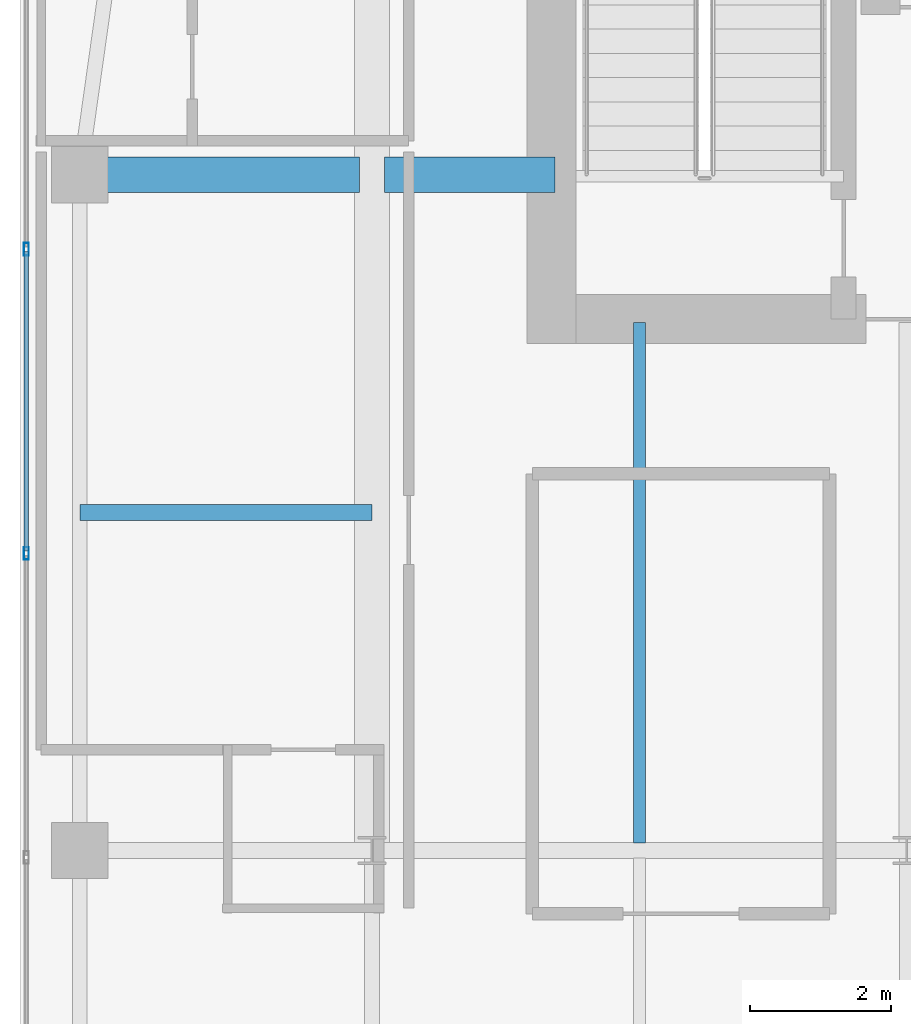
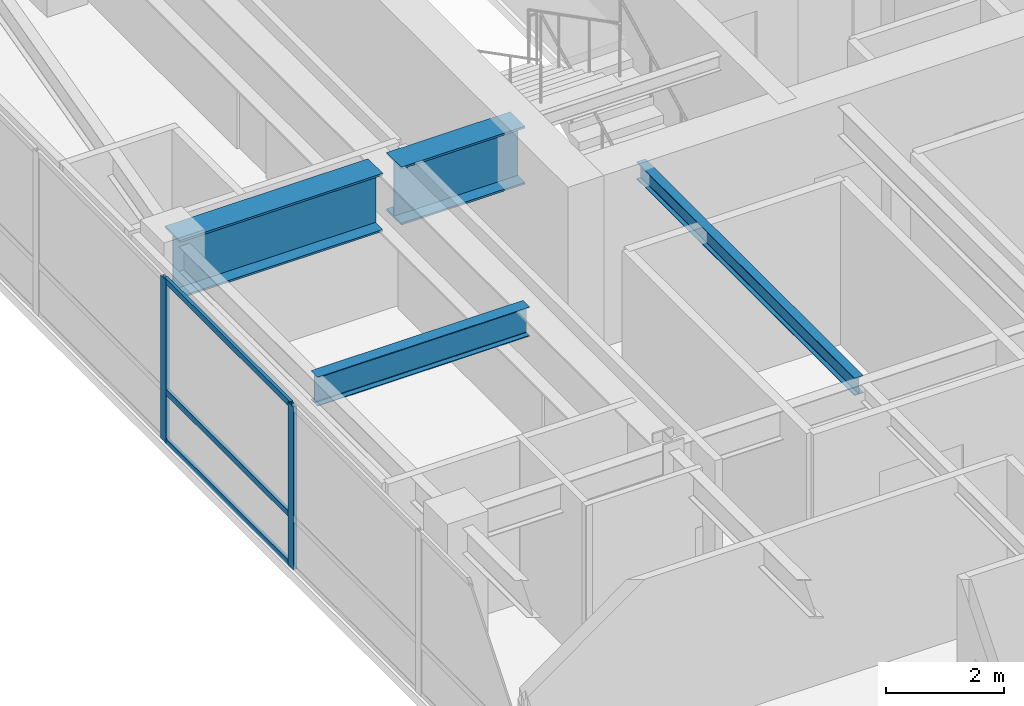
# One storey, part 11 of 28: 5 members, 4 beams, 1 element without a shape of its own.
"""IFC4 building model written with IfcOpenShell, lengths in metres."""

from ifc_helpers import new_model, si_unit, direction, frame, origin, origin_2d, place, context, subcontext, project, spatial, hollow_rectangle, i_section, extrude, source, transform, mapped, material, layer, layer_set, material_profile, profile_set, type_object, type_shapes, element, aggregate, save


model = new_model("IFC4")

# Units and contexts
model_context = context("Model", 3, precision=1e-05, world=origin(), true_north=direction((0.0, 1.0)))
body_context = subcontext(model_context, "Body", "Model", "MODEL_VIEW")
ifc_project = project(units=[si_unit("LENGTHUNIT", "METRE"), si_unit("AREAUNIT", "SQUARE_METRE"), si_unit("VOLUMEUNIT", "CUBIC_METRE"), si_unit("PLANEANGLEUNIT", "RADIAN"), si_unit("MASSUNIT", "GRAM", prefix="KILO")], contexts=[model_context])

# Site, building, storey
site_placement = place(None, origin())
site = spatial("IfcSite", under=ifc_project, at=site_placement, CompositionType="ELEMENT")
building_placement = place(site_placement, origin())
building = spatial("IfcBuilding", under=site, at=building_placement, Name="Tolvann Quenvar Hotel", CompositionType="ELEMENT")
storey_placement = place(building_placement, frame((0.0, 0.0, 154.14990234375)))
storey = spatial("IfcBuildingStorey", under=building, at=storey_placement, Name="L40", CompositionType="ELEMENT", Elevation=154.14990234375)

# Beams
ifc_material_1 = material(Name="Steel Grade 350", Category="steel")
ifc_material_profile_1 = material_profile(ifc_material_1, i_section(OverallWidth=0.5, OverallDepth=1.199951171875, WebThickness=0.01611328125, FlangeThickness=0.0400390625, at=origin_2d()), Name="1200WB455")
ifc_profile_set_1 = profile_set([ifc_material_profile_1], Name="Steel Grade 350")
beam_type_1 = type_object("IfcBeamType", Name="BM_TG_1200WB455", PredefinedType="USERDEFINED", material=ifc_profile_set_1)
shared_shape_1 = source(origin(), body_context, "Body", "SweptSolid", [
    extrude(i_section(OverallWidth=0.5, OverallDepth=1.199951171875, WebThickness=0.01611328125, FlangeThickness=0.0400390625, at=origin_2d()), origin(), (0.0, 0.0, 1.0), 2.419921875),
])
beam_1_placement = place(storey_placement, frame((7.780029296875, 34.0, 2.77001953125), z_axis=(1.0, 0.0, 0.0), x_axis=(0.0, 1.0, 0.0)))
element("IfcBeam", 1, at=beam_1_placement, inside=storey, type_object=beam_type_1, Name="BM-L40-CTW-MID2", ObjectType="TRANSFER GIRDER", PredefinedType="USERDEFINED", context=body_context, shape_type="MappedRepresentation", body=[
    mapped(shared_shape_1, transform((0.0, 0.0, 0.0), x_axis=(1.0, 0.0, 0.0), y_axis=(0.0, 1.0, 0.0), z_axis=(0.0, 0.0, 1.0), scale=1.0)),
])
shared_shape_2 = source(origin(), body_context, "Body", "SweptSolid", [
    extrude(i_section(OverallWidth=0.5, OverallDepth=1.199951171875, WebThickness=0.01611328125, FlangeThickness=0.0400390625, at=origin_2d()), origin(), (0.0, 0.0, 1.0), 3.969970703125),
])
type_shapes(beam_type_1, [shared_shape_1, shared_shape_2])
beam_2_placement = place(storey_placement, frame((3.449951171875, 34.0, 2.77001953125), z_axis=(1.0, 0.0, 0.0), x_axis=(0.0, 1.0, 0.0)))
element("IfcBeam", 2, at=beam_2_placement, inside=storey, type_object=beam_type_1, Name="BM-L40-CTW-MID1", ObjectType="TRANSFER GIRDER", PredefinedType="USERDEFINED", context=body_context, shape_type="MappedRepresentation", body=[
    mapped(shared_shape_2, transform((0.0, 0.0, 0.0), x_axis=(1.0, 0.0, 0.0), y_axis=(0.0, 1.0, 0.0), z_axis=(0.0, 0.0, 1.0), scale=1.0)),
])
ifc_material_profile_2 = material_profile(ifc_material_1, i_section(OverallWidth=0.22802734375, OverallDepth=0.60205078125, WebThickness=0.010498046875, FlangeThickness=0.014892578125, FilletRadius=0.013916015625, at=origin_2d()), Name="610UB101")
ifc_profile_set_2 = profile_set([ifc_material_profile_2], Name="Steel Grade 350")
beam_type_2 = type_object("IfcBeamType", Name="BM_GIRD_610UB101", PredefinedType="BEAM", material=ifc_profile_set_2)
shared_shape_3 = source(origin(), body_context, "Body", "SweptSolid", [
    extrude(i_section(OverallWidth=0.22802734375, OverallDepth=0.60205078125, WebThickness=0.010498046875, FlangeThickness=0.014892578125, FilletRadius=0.013916015625, at=origin_2d()), origin(), (0.0, 0.0, 1.0), 4.150146484375),
])
type_shapes(beam_type_2, [shared_shape_3])
beam_3_placement = place(storey_placement, frame((3.449951171875, 29.199951171875, 3.069091796875), z_axis=(1.0, 0.0, 0.0), x_axis=(0.0, 1.0, 0.0)))
element("IfcBeam", 3, at=beam_3_placement, inside=storey, type_object=beam_type_2, Name="BM-L40-EW-BC29", PredefinedType="BEAM", context=body_context, shape_type="MappedRepresentation", body=[
    mapped(shared_shape_3, transform((0.0, 0.0, 0.0), x_axis=(1.0, 0.0, 0.0), y_axis=(0.0, 1.0, 0.0), z_axis=(0.0, 0.0, 1.0), scale=1.0)),
])
ifc_material_profile_3 = material_profile(ifc_material_1, i_section(OverallWidth=0.172119140625, OverallDepth=0.35888671875, WebThickness=0.008056640625, FlangeThickness=0.012939453125, FilletRadius=0.011474609375, at=origin_2d()), Name="360UB57")
ifc_profile_set_3 = profile_set([ifc_material_profile_3], Name="Steel Grade 350")
beam_type_3 = type_object("IfcBeamType", Name="BM_JOIST_360UB57", PredefinedType="JOIST", material=ifc_profile_set_3)
shared_shape_4 = source(origin(), body_context, "Body", "SweptSolid", [
    extrude(i_section(OverallWidth=0.172119140625, OverallDepth=0.35888671875, WebThickness=0.008056640625, FlangeThickness=0.012939453125, FilletRadius=0.011474609375, at=origin_2d()), origin(), (0.0, 0.0, 1.0), 7.391845703125),
])
type_shapes(beam_type_3, [shared_shape_4])
beam_4_placement = place(storey_placement, frame((11.39990234375, 24.508056640625, 3.190673828125), z_axis=(0.0, 1.0, 0.0), x_axis=(-1.0, 0.0, 0.0)))
element("IfcBeam", 4, at=beam_4_placement, inside=storey, type_object=beam_type_3, Name="BJ-L40-114-244", PredefinedType="JOIST", context=body_context, shape_type="MappedRepresentation", body=[
    mapped(shared_shape_4, transform((0.0, 0.0, 0.0), x_axis=(1.0, 0.0, 0.0), y_axis=(0.0, 1.0, 0.0), z_axis=(0.0, 0.0, 1.0), scale=1.0)),
])

# Curtain wall, members
ifc_material_2 = material(Name="Thermally broken anodised architectural aluminium 6063-T6 and laminated low-E glass", Category="aluminium")
ifc_layer = layer(ifc_material_2, 0.179931640625)
ifc_layer_set = layer_set([ifc_layer], Name="Thermally broken anodised architectural aluminium 6063-T6 and laminated low-E glass")
curtain_wall_type = type_object("IfcCurtainWallType", Name="CW_SYS_BAND_04", PredefinedType="USERDEFINED", material=ifc_layer_set)
curtain_wall_placement = place(storey_placement, origin())
curtain_wall = element("IfcCurtainWall", 5, at=curtain_wall_placement, inside=storey, type_object=curtain_wall_type, Name="Curtain Wall CW-BAND-04 (CWR-L40-E23)", ObjectType="UNITISED CURTAIN WALL", PredefinedType="USERDEFINED")
ifc_material_3 = material(Name="Anodised architectural aluminium 6063-T6 framing", Category="aluminium")
ifc_material_profile_4 = material_profile(ifc_material_3, hollow_rectangle(XDim=0.070068359375, YDim=0.179931640625, WallThickness=0.00390625, at=origin_2d()), Name="180x70x4RHS")
ifc_profile_set_4 = profile_set([ifc_material_profile_4], Name="Anodised architectural aluminium 6063-T6 framing")
member_type_1 = type_object("IfcMemberType", Name="CW_MULL_180x70", PredefinedType="MULLION", material=ifc_profile_set_4)
shared_shape_5 = source(origin(), body_context, "Body", "SweptSolid", [
    extrude(hollow_rectangle(XDim=0.070068359375, YDim=0.179931640625, WallThickness=0.00390625, at=origin_2d()), origin(), (0.0, 0.0, 1.0), 3.3701171875),
])
type_shapes(member_type_1, [shared_shape_5])
member_1_placement = place(storey_placement, frame((2.68994140625, 32.94140625, 0.0), z_axis=(0.0, 0.0, 1.0), x_axis=(1.0, 0.0, 0.0)))
member_1 = element("IfcMember", 6, at=member_1_placement, type_object=member_type_1, Name="CW-BAND-04 mullion 3", PredefinedType="MULLION", context=body_context, shape_type="MappedRepresentation", body=[
    mapped(shared_shape_5, transform((0.0, 0.0, 0.0), x_axis=(1.0, 0.0, 0.0), y_axis=(0.0, 1.0, 0.0), z_axis=(0.0, 0.0, 1.0), scale=1.0)),
])
member_2_placement = place(storey_placement, frame((2.68994140625, 28.62060546875, 0.0), z_axis=(0.0, 0.0, 1.0), x_axis=(1.0, 0.0, 0.0)))
member_2 = element("IfcMember", 7, at=member_2_placement, type_object=member_type_1, Name="CW-BAND-04 mullion 4", PredefinedType="MULLION", context=body_context, shape_type="MappedRepresentation", body=[
    mapped(shared_shape_5, transform((0.0, 0.0, 0.0), x_axis=(1.0, 0.0, 0.0), y_axis=(0.0, 1.0, 0.0), z_axis=(0.0, 0.0, 1.0), scale=1.0)),
])
ifc_material_profile_5 = material_profile(ifc_material_3, hollow_rectangle(XDim=0.06005859375, YDim=0.1201171875, WallThickness=0.00341796875, at=origin_2d()), Name="120x60x3.5RHS")
ifc_profile_set_5 = profile_set([ifc_material_profile_5], Name="Anodised architectural aluminium 6063-T6 framing")
member_type_2 = type_object("IfcMemberType", Name="CW_TRAN_120x60", PredefinedType="USERDEFINED", material=ifc_profile_set_5)
shared_shape_6 = source(origin(), body_context, "Body", "SweptSolid", [
    extrude(hollow_rectangle(XDim=0.06005859375, YDim=0.1201171875, WallThickness=0.00341796875, at=origin_2d()), origin(), (0.0, 0.0, 1.0), 4.250732421875),
])
type_shapes(member_type_2, [shared_shape_6])
member_3_placement = place(storey_placement, frame((2.68994140625, 32.906494140625, 0.030029296875), z_axis=(0.0, -1.0, 0.0), x_axis=(1.0, 0.0, 0.0)))
member_3 = element("IfcMember", 8, at=member_3_placement, type_object=member_type_2, Name="CW-BAND-04 transom 3.1", ObjectType="TRANSOM", PredefinedType="USERDEFINED", context=body_context, shape_type="MappedRepresentation", body=[
    mapped(shared_shape_6, transform((0.0, 0.0, 0.0), x_axis=(1.0, 0.0, 0.0), y_axis=(0.0, 1.0, 0.0), z_axis=(0.0, 0.0, 1.0), scale=1.0)),
])
member_4_placement = place(storey_placement, frame((2.68994140625, 32.906494140625, 1.050048828125), z_axis=(0.0, -1.0, 0.0), x_axis=(1.0, 0.0, 0.0)))
member_4 = element("IfcMember", 9, at=member_4_placement, type_object=member_type_2, Name="CW-BAND-04 transom 3.2", ObjectType="TRANSOM", PredefinedType="USERDEFINED", context=body_context, shape_type="MappedRepresentation", body=[
    mapped(shared_shape_6, transform((0.0, 0.0, 0.0), x_axis=(1.0, 0.0, 0.0), y_axis=(0.0, 1.0, 0.0), z_axis=(0.0, 0.0, 1.0), scale=1.0)),
])
member_5_placement = place(storey_placement, frame((2.68994140625, 32.906494140625, 3.340087890625), z_axis=(0.0, -1.0, 0.0), x_axis=(1.0, 0.0, 0.0)))
member_5 = element("IfcMember", 10, at=member_5_placement, type_object=member_type_2, Name="CW-BAND-04 transom 3.3", ObjectType="TRANSOM", PredefinedType="USERDEFINED", context=body_context, shape_type="MappedRepresentation", body=[
    mapped(shared_shape_6, transform((0.0, 0.0, 0.0), x_axis=(1.0, 0.0, 0.0), y_axis=(0.0, 1.0, 0.0), z_axis=(0.0, 0.0, 1.0), scale=1.0)),
])
aggregate(curtain_wall, [member_1, member_2, member_3, member_4, member_5])

save(model, "model.ifc")
